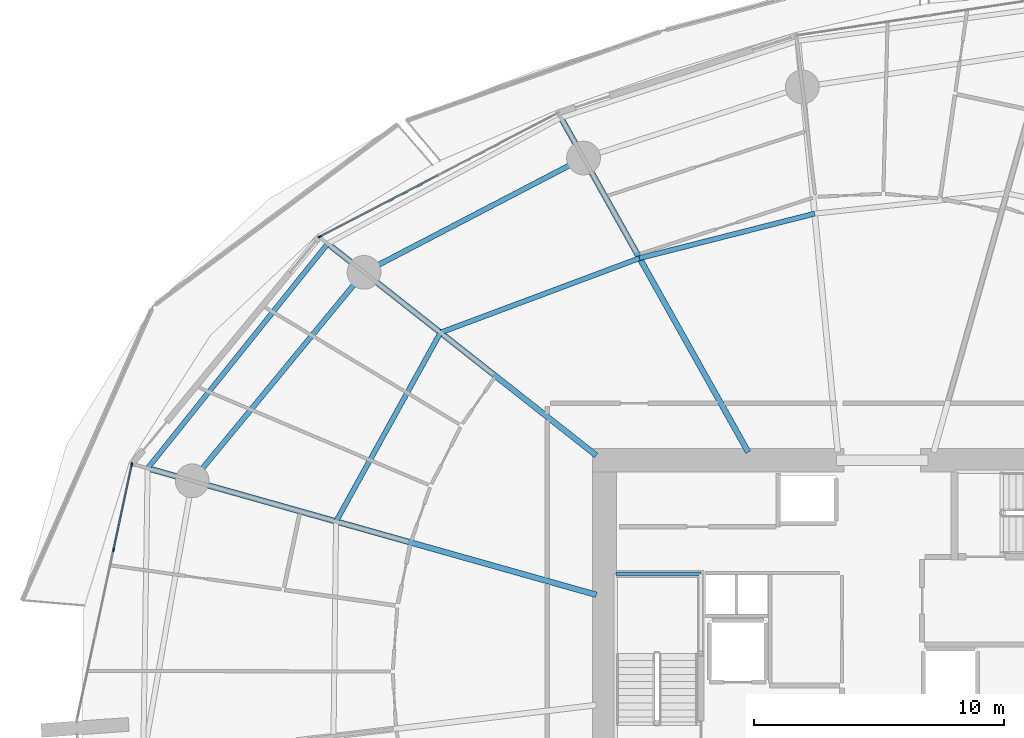
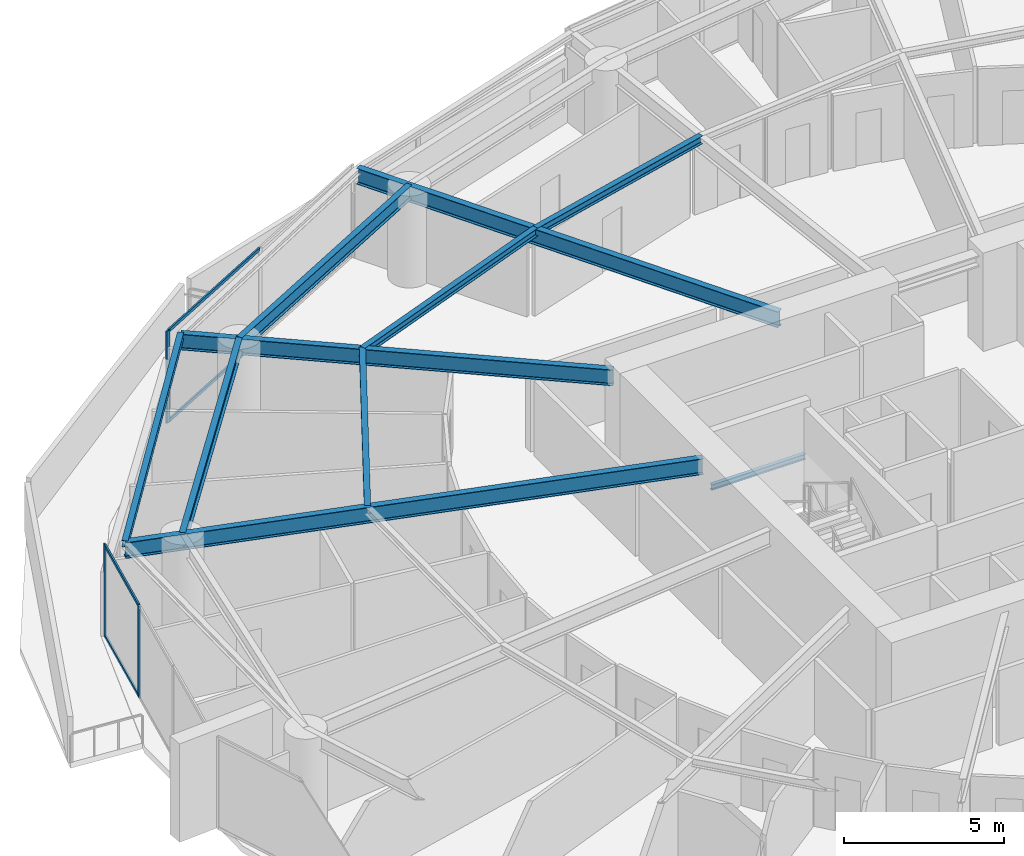
# One storey, part 12 of 31: 10 beams, 7 members, 2 elements without a shape of their own.
"""IFC4 building model written with IfcOpenShell, lengths in metres."""

from ifc_helpers import new_model, si_unit, direction, frame, origin, origin_2d, place, context, subcontext, project, spatial, rectangle, i_section, extrude, material, layer, layer_set, material_profile, profile_set, type_object, element, aggregate, save


model = new_model("IFC4")

# Units and contexts
model_context = context("Model", 3, precision=1e-05, world=origin(), true_north=direction((0.0, 1.0)))
body_context = subcontext(model_context, "Body", "Model", "MODEL_VIEW")
ifc_project = project(units=[si_unit("LENGTHUNIT", "METRE"), si_unit("AREAUNIT", "SQUARE_METRE"), si_unit("VOLUMEUNIT", "CUBIC_METRE"), si_unit("PLANEANGLEUNIT", "RADIAN"), si_unit("MASSUNIT", "GRAM", prefix="KILO")], contexts=[model_context])

# Site, building, storey
site_placement = place(None, origin())
site = spatial("IfcSite", under=ifc_project, at=site_placement, CompositionType="ELEMENT")
building_placement = place(site_placement, origin())
building = spatial("IfcBuilding", under=site, at=building_placement, Name="Kazma Halo Residences", CompositionType="ELEMENT")
storey_placement = place(building_placement, frame((0.0, 0.0, 45.14990234375)))
storey = spatial("IfcBuildingStorey", under=building, at=storey_placement, Name="L10", CompositionType="ELEMENT", Elevation=45.14990234375)

# Beams
ifc_material_1 = material(Name="Steel S355", Category="steel")
ifc_material_profile_1 = material_profile(ifc_material_1, i_section(OverallWidth=0.201904296875, OverallDepth=0.2470703125, WebThickness=0.00732421875, FlangeThickness=0.010986328125, FilletRadius=0.011962890625, at=origin_2d()), Name="W250x49.1")
ifc_profile_set_1 = profile_set([ifc_material_profile_1], Name="Steel S355")
beam_type_1 = type_object("IfcBeamType", Name="BM-BAL-CANT", PredefinedType="BEAM", material=ifc_profile_set_1)
beam_1_placement = place(storey_placement, frame((26.271484375, 59.12939453125, 3.376708984375), z_axis=(-0.625476617708, -0.780242911343, 0.0), x_axis=(0.780242911343, -0.625476617708, 0.0)))
element("IfcBeam", 1, at=beam_1_placement, inside=storey, type_object=beam_type_1, Name="L10 wave-balcony tie beam 06", PredefinedType="BEAM", context=body_context, shape_type="SweptSolid", body=[
    extrude(i_section(OverallWidth=0.201904296875, OverallDepth=0.2470703125, WebThickness=0.00732421875, FlangeThickness=0.010986328125, FilletRadius=0.011962890625, at=origin_2d()), origin(), (0.0, 0.0, 1.0), 11.499755859375),
])
ifc_material_profile_2 = material_profile(ifc_material_1, i_section(OverallWidth=0.22802734375, OverallDepth=0.60791015625, WebThickness=0.01123046875, FlangeThickness=0.017333984375, FilletRadius=0.01806640625, at=origin_2d()), Name="W610x113")
ifc_profile_set_2 = profile_set([ifc_material_profile_2], Name="Steel S355")
beam_type_2 = type_object("IfcBeamType", Name="BM-RAD-W610", PredefinedType="BEAM", material=ifc_profile_set_2)
beam_2_placement = place(storey_placement, frame((43.07177734375, 50.800048828125, 3.196044921875), z_axis=(-0.488624239587, 0.872494328055, 0.0), x_axis=(-0.872494328055, -0.488624239587, 0.0)))
element("IfcBeam", 2, at=beam_2_placement, inside=storey, type_object=beam_type_2, Name="L10 radial floor beam 05", PredefinedType="BEAM", context=body_context, shape_type="SweptSolid", body=[
    extrude(i_section(OverallWidth=0.22802734375, OverallDepth=0.60791015625, WebThickness=0.01123046875, FlangeThickness=0.017333984375, FilletRadius=0.01806640625, at=origin_2d()), origin(), (0.0, 0.0, 1.0), 15.316650390625),
])
beam_3_placement = place(storey_placement, frame((37.0, 50.671630859375, 3.196044921875), z_axis=(-0.78531394447, 0.619097737536, 0.0), x_axis=(-0.619097737536, -0.78531394447, 0.0)))
element("IfcBeam", 3, at=beam_3_placement, inside=storey, type_object=beam_type_2, Name="L10 radial floor beam 06", PredefinedType="BEAM", context=body_context, shape_type="SweptSolid", body=[
    extrude(i_section(OverallWidth=0.22802734375, OverallDepth=0.60791015625, WebThickness=0.01123046875, FlangeThickness=0.017333984375, FilletRadius=0.01806640625, at=origin_2d()), origin(), (0.0, 0.0, 1.0), 13.661376953125),
])
beam_4_placement = place(storey_placement, frame((37.0, 45.102294921875, 3.196044921875), z_axis=(-0.962453979784, 0.271444905641, 0.0), x_axis=(-0.271444905641, -0.962453979784, 0.0)))
element("IfcBeam", 4, at=beam_4_placement, inside=storey, type_object=beam_type_2, Name="L10 radial floor beam 07", PredefinedType="BEAM", context=body_context, shape_type="SweptSolid", body=[
    extrude(i_section(OverallWidth=0.22802734375, OverallDepth=0.60791015625, WebThickness=0.01123046875, FlangeThickness=0.017333984375, FilletRadius=0.01806640625, at=origin_2d()), origin(), (0.0, 0.0, 1.0), 18.62060546875),
])
ifc_material_profile_3 = material_profile(ifc_material_1, i_section(OverallWidth=0.202880859375, OverallDepth=0.302978515625, WebThickness=0.007568359375, FlangeThickness=0.01318359375, FilletRadius=0.013916015625, at=origin_2d()), Name="W310x60")
ifc_profile_set_3 = profile_set([ifc_material_profile_3], Name="Steel S355")
beam_type_3 = type_object("IfcBeamType", Name="BM-SEC-W310A", PredefinedType="JOIST", material=ifc_profile_set_3)
beam_5_placement = place(storey_placement, frame((45.7236328125, 60.329833984375, 3.3486328125), z_axis=(-0.969127021388, -0.246561993047, 0.0), x_axis=(0.246561993047, -0.969127021388, 0.0)))
element("IfcBeam", 5, at=beam_5_placement, inside=storey, type_object=beam_type_3, Name="L10 circumferential floor joist 04", PredefinedType="JOIST", context=body_context, shape_type="SweptSolid", body=[
    extrude(i_section(OverallWidth=0.202880859375, OverallDepth=0.302978515625, WebThickness=0.007568359375, FlangeThickness=0.01318359375, FilletRadius=0.013916015625, at=origin_2d()), origin(), (0.0, 0.0, 1.0), 7.21533203125),
])
beam_6_placement = place(storey_placement, frame((38.73095703125, 58.55078125, 3.3486328125), z_axis=(-0.936676104069, -0.350196910417, 0.0), x_axis=(0.350196910417, -0.936676104069, 0.0)))
element("IfcBeam", 6, at=beam_6_placement, inside=storey, type_object=beam_type_3, Name="L10 circumferential floor joist 05", PredefinedType="JOIST", context=body_context, shape_type="SweptSolid", body=[
    extrude(i_section(OverallWidth=0.202880859375, OverallDepth=0.302978515625, WebThickness=0.007568359375, FlangeThickness=0.01318359375, FilletRadius=0.013916015625, at=origin_2d()), origin(), (0.0, 0.0, 1.0), 8.4912109375),
])
beam_7_placement = place(storey_placement, frame((30.77734375, 55.5771484375, 3.3486328125), z_axis=(-0.483953872195, -0.875093509054, 0.0), x_axis=(0.875093509054, -0.483953872195, 0.0)))
element("IfcBeam", 7, at=beam_7_placement, inside=storey, type_object=beam_type_3, Name="L10 circumferential floor joist 06", PredefinedType="JOIST", context=body_context, shape_type="SweptSolid", body=[
    extrude(i_section(OverallWidth=0.202880859375, OverallDepth=0.302978515625, WebThickness=0.007568359375, FlangeThickness=0.01318359375, FilletRadius=0.013916015625, at=origin_2d()), origin(), (0.0, 0.0, 1.0), 8.619873046875),
])
ifc_material_profile_4 = material_profile(ifc_material_1, i_section(OverallWidth=0.208984375, OverallDepth=0.532958984375, WebThickness=0.01025390625, FlangeThickness=0.015625, FilletRadius=0.01611328125, at=origin_2d()), Name="W530x92")
ifc_profile_set_4 = profile_set([ifc_material_profile_4], Name="Steel S355")
beam_type_4 = type_object("IfcBeamType", Name="BM-SPN-W530", PredefinedType="BEAM", material=ifc_profile_set_4)
beam_8_placement = place(storey_placement, frame((36.49169921875, 62.549560546875, 3.233642578125), z_axis=(-0.886956241699, -0.461853467358, 0.0), x_axis=(0.461853467358, -0.886956241699, 0.0)))
element("IfcBeam", 8, at=beam_8_placement, inside=storey, type_object=beam_type_4, Name="L10 perimeter ring beam 05", PredefinedType="BEAM", context=body_context, shape_type="SweptSolid", body=[
    extrude(i_section(OverallWidth=0.208984375, OverallDepth=0.532958984375, WebThickness=0.01025390625, FlangeThickness=0.015625, FilletRadius=0.01611328125, at=origin_2d()), origin(), (0.0, 0.0, 1.0), 9.885009765625),
])
beam_9_placement = place(storey_placement, frame((27.72412109375, 57.984130859375, 3.233642578125), z_axis=(-0.636001336663, -0.771687954916, 0.0), x_axis=(0.771687954916, -0.636001336663, 0.0)))
element("IfcBeam", 9, at=beam_9_placement, inside=storey, type_object=beam_type_4, Name="L10 perimeter ring beam 06", PredefinedType="BEAM", context=body_context, shape_type="SweptSolid", body=[
    extrude(i_section(OverallWidth=0.208984375, OverallDepth=0.532958984375, WebThickness=0.01025390625, FlangeThickness=0.015625, FilletRadius=0.01611328125, at=origin_2d()), origin(), (0.0, 0.0, 1.0), 10.7939453125),
])
ifc_material_profile_5 = material_profile(ifc_material_1, i_section(OverallWidth=0.133056640625, OverallDepth=0.20703125, WebThickness=0.005859375, FlangeThickness=0.00830078125, FilletRadius=0.010009765625, at=origin_2d()), Name="W200x26.6")
ifc_profile_set_5 = profile_set([ifc_material_profile_5], Name="Steel S355")
beam_type_5 = type_object("IfcBeamType", Name="BM-TRIM-W200", PredefinedType="BEAM", material=ifc_profile_set_5)
beam_10_placement = place(storey_placement, frame((37.780029296875, 45.93994140625, 1.570068359375), z_axis=(1.0, 0.0, 0.0), x_axis=(0.0, 1.0, 0.0)))
element("IfcBeam", 10, at=beam_10_placement, inside=storey, type_object=beam_type_5, Name="L10 ST-01 landing end wall ledger", PredefinedType="BEAM", context=body_context, shape_type="SweptSolid", body=[
    extrude(i_section(OverallWidth=0.133056640625, OverallDepth=0.20703125, WebThickness=0.005859375, FlangeThickness=0.00830078125, FilletRadius=0.010009765625, at=origin_2d()), origin(), (0.0, 0.0, 1.0), 3.39990234375),
])

# Curtain wall, member
ifc_material_2 = material(Name="Aluminium AW-6063 T6 and Triple-Silver Low-E Glass", Category="aluminium")
ifc_layer = layer(ifc_material_2, 0.159912109375)
ifc_layer_set = layer_set([ifc_layer], Name="Aluminium AW-6063 T6 and Triple-Silver Low-E Glass")
curtain_wall_type = type_object("IfcCurtainWallType", Name="CW-SYS-2", PredefinedType="NOTDEFINED", material=ifc_layer_set)
curtain_wall_1_placement = place(storey_placement, origin())
curtain_wall_1 = element("IfcCurtainWall", 11, at=curtain_wall_1_placement, inside=storey, type_object=curtain_wall_type, Name="L10 unitised curtain wall B05", PredefinedType="NOTDEFINED")
ifc_material_3 = material(Name="Aluminium AW-6063 T6", Category="aluminium")
ifc_material_profile_6 = material_profile(ifc_material_3, rectangle(XDim=0.06005859375, YDim=0.159912109375, at=origin_2d()), Name="CWM-60x160")
ifc_profile_set_6 = profile_set([ifc_material_profile_6], Name="Aluminium AW-6063 T6")
member_type_1 = type_object("IfcMemberType", Name="CW-SYS-2-MUL", PredefinedType="MULLION", material=ifc_profile_set_6)
member_1_placement = place(storey_placement, frame((25.96142578125, 59.408447265625, 0.0), z_axis=(0.0, 0.0, 1.0), x_axis=(0.460995912628, -0.887402258584, 0.0)))
member_1 = element("IfcMember", 12, at=member_1_placement, type_object=member_type_1, Name="CWS-2 mullion 3", PredefinedType="MULLION", context=body_context, shape_type="SweptSolid", body=[
    extrude(rectangle(XDim=0.06005859375, YDim=0.159912109375, at=origin_2d()), origin(), (0.0, 0.0, 1.0), 3.5),
])

# Curtain wall, members
curtain_wall_2_placement = place(storey_placement, origin())
curtain_wall_2 = element("IfcCurtainWall", 13, at=curtain_wall_2_placement, inside=storey, type_object=curtain_wall_type, Name="L10 unitised curtain wall B07", PredefinedType="NOTDEFINED")
member_2_placement = place(storey_placement, frame((18.447021484375, 50.3037109375, 0.0), z_axis=(0.0, 0.0, 1.0), x_axis=(0.977779215096, -0.209637321406, 0.0)))
member_2 = element("IfcMember", 14, at=member_2_placement, type_object=member_type_1, Name="CWS-2 mullion 1", PredefinedType="MULLION", context=body_context, shape_type="SweptSolid", body=[
    extrude(rectangle(XDim=0.06005859375, YDim=0.159912109375, at=origin_2d()), origin(), (0.0, 0.0, 1.0), 3.5),
])
member_3_placement = place(storey_placement, frame((17.717041015625, 46.898681640625, 0.0), z_axis=(0.0, 0.0, 1.0), x_axis=(0.977779215096, -0.209637321406, 0.0)))
member_3 = element("IfcMember", 15, at=member_3_placement, type_object=member_type_1, Name="CWS-2 mullion 2", PredefinedType="MULLION", context=body_context, shape_type="SweptSolid", body=[
    extrude(rectangle(XDim=0.06005859375, YDim=0.159912109375, at=origin_2d()), origin(), (0.0, 0.0, 1.0), 3.5),
])

# Member
ifc_material_profile_7 = material_profile(ifc_material_3, rectangle(XDim=0.06005859375, YDim=0.1201171875, at=origin_2d()), Name="CWT-60x120")
ifc_profile_set_7 = profile_set([ifc_material_profile_7], Name="Aluminium AW-6063 T6")
member_type_2 = type_object("IfcMemberType", Name="CW-SYS-2-TRN", PredefinedType="USERDEFINED", material=ifc_profile_set_7)
member_4_placement = place(storey_placement, frame((30.681396484375, 61.8603515625, 0.030029296875), z_axis=(-0.887414738583, -0.460971888238, 0.0), x_axis=(0.460971888238, -0.887414738583, 0.0)))
member_4 = element("IfcMember", 16, at=member_4_placement, type_object=member_type_2, Name="CWS-2 transom 2.1", ObjectType="TRANSOM", PredefinedType="USERDEFINED", context=body_context, shape_type="SweptSolid", body=[
    extrude(rectangle(XDim=0.06005859375, YDim=0.1201171875, at=origin_2d()), origin(), (0.0, 0.0, 1.0), 5.288818359375),
])

member_5_placement = place(storey_placement, frame((30.681396484375, 61.8603515625, 3.47021484375), z_axis=(-0.887414738583, -0.460971888238, 0.0), x_axis=(0.460971888238, -0.887414738583, 0.0)))
member_5 = element("IfcMember", 17, at=member_5_placement, type_object=member_type_2, Name="CWS-2 transom 2.2", ObjectType="TRANSOM", PredefinedType="USERDEFINED", context=body_context, shape_type="SweptSolid", body=[
    extrude(rectangle(XDim=0.06005859375, YDim=0.1201171875, at=origin_2d()), origin(), (0.0, 0.0, 1.0), 5.288818359375),
])

aggregate(curtain_wall_1, [member_1, member_4, member_5])

member_6_placement = place(storey_placement, frame((18.440673828125, 50.2744140625, 0.030029296875), z_axis=(-0.209650877007, -0.977776308657, 0.0), x_axis=(0.977776308657, -0.209650877007, 0.0)))
member_6 = element("IfcMember", 18, at=member_6_placement, type_object=member_type_2, Name="CWS-2 transom 1.1", ObjectType="TRANSOM", PredefinedType="USERDEFINED", context=body_context, shape_type="SweptSolid", body=[
    extrude(rectangle(XDim=0.06005859375, YDim=0.1201171875, at=origin_2d()), origin(), (0.0, 0.0, 1.0), 3.422607421875),
])

member_7_placement = place(storey_placement, frame((18.440673828125, 50.2744140625, 3.47021484375), z_axis=(-0.209650877007, -0.977776308657, 0.0), x_axis=(0.977776308657, -0.209650877007, 0.0)))
member_7 = element("IfcMember", 19, at=member_7_placement, type_object=member_type_2, Name="CWS-2 transom 1.2", ObjectType="TRANSOM", PredefinedType="USERDEFINED", context=body_context, shape_type="SweptSolid", body=[
    extrude(rectangle(XDim=0.06005859375, YDim=0.1201171875, at=origin_2d()), origin(), (0.0, 0.0, 1.0), 3.422607421875),
])

aggregate(curtain_wall_2, [member_2, member_3, member_6, member_7])

save(model, "model.ifc")
